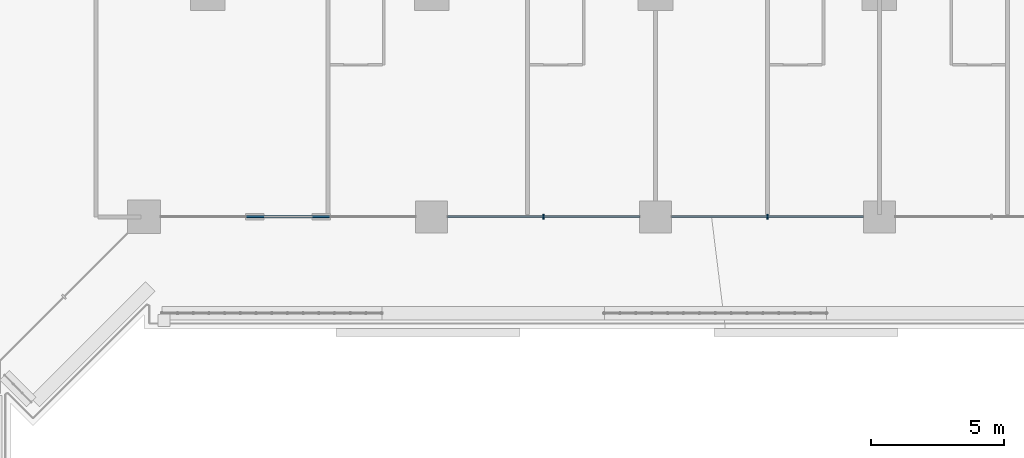
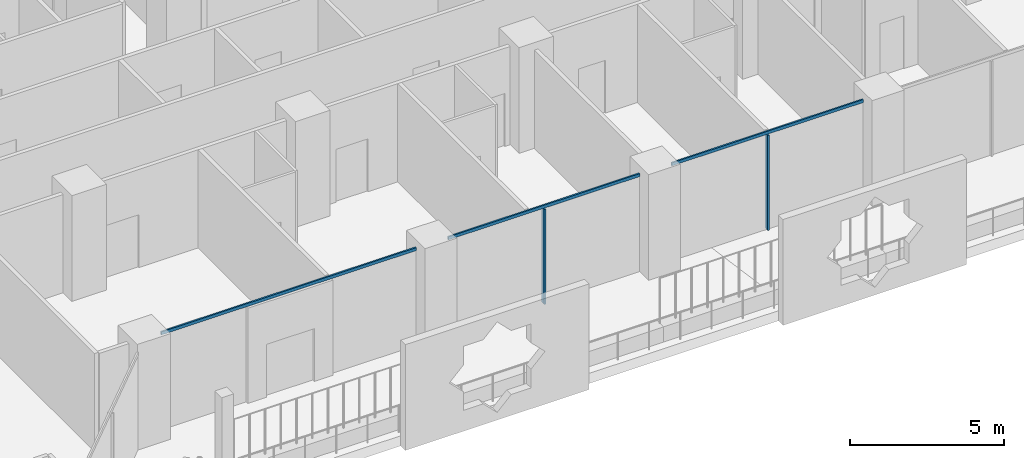
# One storey, part 6 of 28: 5 members, 1 element without a shape of its own.
"""IFC4 building model written with IfcOpenShell, lengths in metres."""

from ifc_helpers import new_model, si_unit, direction, frame, origin, origin_2d, place, context, subcontext, project, spatial, rectangle, extrude, material, layer, layer_set, material_profile, profile_set, type_object, element, aggregate, save


model = new_model("IFC4")

# Units and contexts
model_context = context("Model", 3, precision=1e-05, world=origin(), true_north=direction((0.0, 1.0)))
body_context = subcontext(model_context, "Body", "Model", "MODEL_VIEW")
ifc_project = project(units=[si_unit("LENGTHUNIT", "METRE"), si_unit("AREAUNIT", "SQUARE_METRE"), si_unit("VOLUMEUNIT", "CUBIC_METRE"), si_unit("PLANEANGLEUNIT", "RADIAN"), si_unit("MASSUNIT", "GRAM", prefix="KILO")], contexts=[model_context])

# Site, building, storey
site_placement = place(None, origin())
site = spatial("IfcSite", under=ifc_project, at=site_placement, CompositionType="ELEMENT")
building_placement = place(site_placement, origin())
building = spatial("IfcBuilding", under=site, at=building_placement, Name="Kawkab Arch Medical Tower", CompositionType="ELEMENT")
storey_placement = place(building_placement, frame((0.0, 0.0, 68.60009765625)))
storey = spatial("IfcBuildingStorey", under=building, at=storey_placement, Name="L15", CompositionType="ELEMENT", Elevation=68.60009765625)

# Curtain wall, members
ifc_material_1 = material(Name="Bronze anodised aluminium curtain wall frame", Category="aluminium")
ifc_layer = layer(ifc_material_1, 0.159912109375)
ifc_layer_set = layer_set([ifc_layer], Name="Bronze anodised aluminium curtain wall frame")
curtain_wall_type = type_object("IfcCurtainWallType", Name="CW1 ward curtain wall", PredefinedType="NOTDEFINED", material=ifc_layer_set)
curtain_wall_placement = place(storey_placement, origin())
curtain_wall = element("IfcCurtainWall", 1, at=curtain_wall_placement, inside=storey, type_object=curtain_wall_type, Name="CW1 Ward curtain wall R07", PredefinedType="NOTDEFINED")
ifc_material_2 = material(Name="Bronze anodised aluminium curtain wall frame", Category="aluminium")
ifc_material_profile_1 = material_profile(ifc_material_2, rectangle(XDim=0.179931640625, YDim=0.06005859375, at=origin_2d()), Name="AL 60x180")
ifc_profile_set_1 = profile_set([ifc_material_profile_1], Name="Bronze anodised aluminium curtain wall frame")
member_type_1 = type_object("IfcMemberType", Name="CW1 mullion 60 x 180", PredefinedType="MULLION", material=ifc_profile_set_1)
member_1_placement = place(storey_placement, frame((46.199951171875, -25.199951171875, 0.0), z_axis=(0.0, 0.0, 1.0), x_axis=(0.0, 1.0, 0.0)))
member_1 = element("IfcMember", 2, at=member_1_placement, type_object=member_type_1, Name="CW1 mullion 2.1", PredefinedType="MULLION", context=body_context, shape_type="SweptSolid", body=[
    extrude(rectangle(XDim=0.179931640625, YDim=0.06005859375, at=origin_2d()), origin(), (0.0, 0.0, 1.0), 3.77978515625),
])
member_2_placement = place(storey_placement, frame((54.60009765625, -25.199951171875, 0.0), z_axis=(0.0, 0.0, 1.0), x_axis=(0.0, 1.0, 0.0)))
member_2 = element("IfcMember", 3, at=member_2_placement, type_object=member_type_1, Name="CW1 mullion 3.1", PredefinedType="MULLION", context=body_context, shape_type="SweptSolid", body=[
    extrude(rectangle(XDim=0.179931640625, YDim=0.06005859375, at=origin_2d()), origin(), (0.0, 0.0, 1.0), 3.77978515625),
])
ifc_material_3 = material(Name="Bronze anodised aluminium curtain wall frame", Category="aluminium")
ifc_material_profile_2 = material_profile(ifc_material_3, rectangle(XDim=0.06005859375, YDim=0.1201171875, at=origin_2d()), Name="AL 60x120")
ifc_profile_set_2 = profile_set([ifc_material_profile_2], Name="Bronze anodised aluminium curtain wall frame")
member_type_2 = type_object("IfcMemberType", Name="CW1 transom 120 x 60", PredefinedType="USERDEFINED", material=ifc_profile_set_2)
member_3_placement = place(storey_placement, frame((31.824951171875, -25.199951171875, 3.83984375), z_axis=(1.0, 0.0, 0.0), x_axis=(0.0, 1.0, 0.0)))
member_3 = element("IfcMember", 4, at=member_3_placement, type_object=member_type_2, Name="CW1 transom 1", ObjectType="TRANSOM", PredefinedType="USERDEFINED", context=body_context, shape_type="SweptSolid", body=[
    extrude(rectangle(XDim=0.06005859375, YDim=0.1201171875, at=origin_2d()), origin(), (0.0, 0.0, 1.0), 9.574951171875),
])
member_4_placement = place(storey_placement, frame((42.60009765625, -25.199951171875, 3.83984375), z_axis=(1.0, 0.0, 0.0), x_axis=(0.0, 1.0, 0.0)))
member_4 = element("IfcMember", 5, at=member_4_placement, type_object=member_type_2, Name="CW1 transom 2", ObjectType="TRANSOM", PredefinedType="USERDEFINED", context=body_context, shape_type="SweptSolid", body=[
    extrude(rectangle(XDim=0.06005859375, YDim=0.1201171875, at=origin_2d()), origin(), (0.0, 0.0, 1.0), 7.199951171875),
])
member_5_placement = place(storey_placement, frame((51.0, -25.199951171875, 3.83984375), z_axis=(1.0, 0.0, 0.0), x_axis=(0.0, 1.0, 0.0)))
member_5 = element("IfcMember", 6, at=member_5_placement, type_object=member_type_2, Name="CW1 transom 3", ObjectType="TRANSOM", PredefinedType="USERDEFINED", context=body_context, shape_type="SweptSolid", body=[
    extrude(rectangle(XDim=0.06005859375, YDim=0.1201171875, at=origin_2d()), origin(), (0.0, 0.0, 1.0), 7.199951171875),
])
aggregate(curtain_wall, [member_3, member_4, member_1, member_5, member_2])

save(model, "model.ifc")
